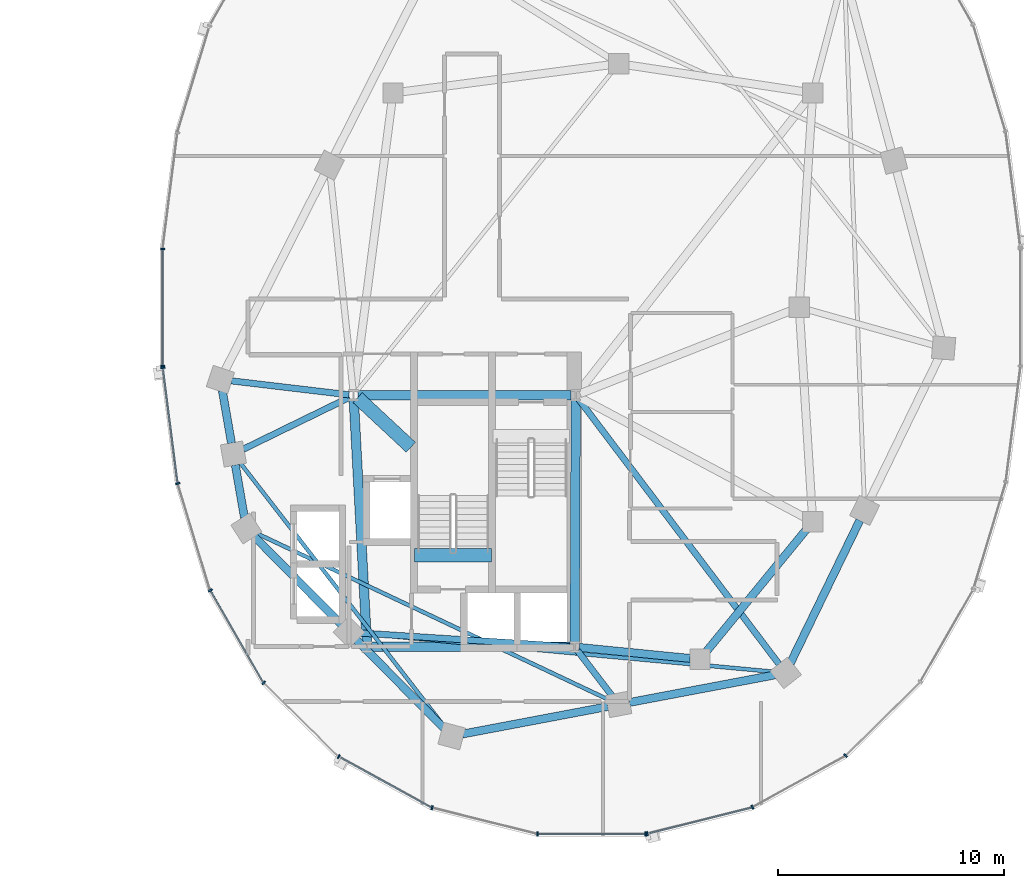
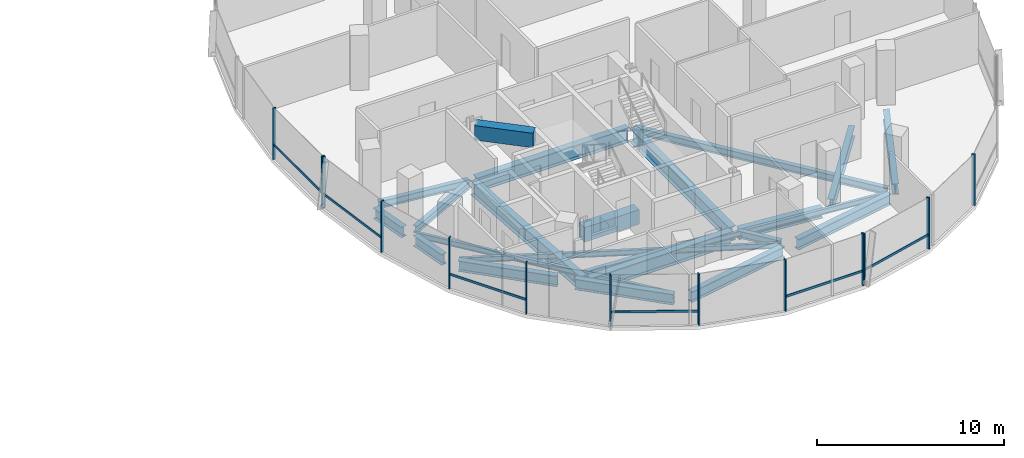
# One storey, part 6 of 23: 23 beams, 19 members, 3 elements without a shape of their own.
"""IFC4 building model written with IfcOpenShell, lengths in metres."""

from ifc_helpers import new_model, si_unit, direction, frame, origin, origin_2d, place, context, subcontext, project, spatial, rectangle, i_section, extrude, material, material_profile, profile_set, type_object, element, aggregate, save


model = new_model("IFC4")

# Units and contexts
model_context = context("Model", 3, precision=1e-05, world=origin(), true_north=direction((0.0, 1.0)))
body_context = subcontext(model_context, "Body", "Model", "MODEL_VIEW")
ifc_project = project(units=[si_unit("LENGTHUNIT", "METRE"), si_unit("AREAUNIT", "SQUARE_METRE"), si_unit("VOLUMEUNIT", "CUBIC_METRE"), si_unit("PLANEANGLEUNIT", "RADIAN"), si_unit("MASSUNIT", "GRAM", prefix="KILO"), si_unit("THERMODYNAMICTEMPERATUREUNIT", "KELVIN"), si_unit("POWERUNIT", "WATT")], contexts=[model_context])

# Site, building, storey
site_placement = place(None, origin())
site = spatial("IfcSite", under=ifc_project, at=site_placement, CompositionType="ELEMENT")
building_placement = place(site_placement, origin())
building = spatial("IfcBuilding", under=site, at=building_placement, Name="Cundina Bronze Exchange", CompositionType="ELEMENT")
storey_placement = place(building_placement, frame((0.0, 0.0, 169.199951171875)))
storey = spatial("IfcBuildingStorey", under=building, at=storey_placement, Name="L44", CompositionType="ELEMENT", Elevation=169.199951171875)

# Beams
ifc_material_1 = material(Name="Concrete C60/75", Category="concrete")
ifc_material_profile_1 = material_profile(ifc_material_1, rectangle(XDim=0.60009765625, YDim=0.949951171875, at=origin_2d()), Name="RC600X950", Category="concrete")
ifc_profile_set_1 = profile_set([ifc_material_profile_1], Name="Concrete C60/75")
beam_type_1 = type_object("IfcBeamType", Name="BM-COUP-RC950", PredefinedType="LINTEL", material=ifc_profile_set_1)
beam_1_placement = place(storey_placement, frame((24.159912109375, -10.97998046875, -0.474853515625), z_axis=(1.0, 0.0, 0.0), x_axis=(0.0, 1.0, 0.0)))
element("IfcBeam", 1, at=beam_1_placement, inside=storey, type_object=beam_type_1, Name="L44 Stair E2 Landing Header Beam", PredefinedType="LINTEL", context=body_context, shape_type="SweptSolid", body=[
    extrude(rectangle(XDim=0.60009765625, YDim=0.949951171875, at=origin_2d()), origin(), (0.0, 0.0, 1.0), 3.400146484375),
])
beam_2_placement = place(storey_placement, frame((21.6298828125, -4.0, 2.885009765625), z_axis=(0.731490439815, -0.681851696822, 0.0), x_axis=(0.681851696822, 0.731490439815, 0.0)))
element("IfcBeam", 2, at=beam_2_placement, inside=storey, type_object=beam_type_1, Name="L44 E Core Shear Coupling Lintel Beam", PredefinedType="LINTEL", context=body_context, shape_type="SweptSolid", body=[
    extrude(rectangle(XDim=0.60009765625, YDim=0.949951171875, at=origin_2d()), origin(), (0.0, 0.0, 1.0), 3.226318359375),
])
ifc_material_2 = material(Name="Steel ASTM A992 Grade 50", Category="steel")
ifc_material_profile_2 = material_profile(ifc_material_2, i_section(OverallWidth=0.280029296875, OverallDepth=0.462890625, WebThickness=0.0107421875, FlangeThickness=0.017333984375, FilletRadius=0.011962890625, at=origin_2d()), Name="W18X76", Category="steel")
ifc_profile_set_2 = profile_set([ifc_material_profile_2], Name="Steel ASTM A992 Grade 50")
beam_type_2 = type_object("IfcBeamType", Name="BM-FLR-W18A", PredefinedType="BEAM", material=ifc_profile_set_2)
beam_3_placement = place(storey_placement, frame((21.247314453125, -3.8759765625, -0.471435546875), z_axis=(-0.993036158382, 0.11780996624, 0.0), x_axis=(-0.11780996624, -0.993036158382, 0.0)))
element("IfcBeam", 3, at=beam_3_placement, inside=storey, type_object=beam_type_2, Name="L44 Leg E Chordal Floor Beam 00", PredefinedType="BEAM", context=body_context, shape_type="SweptSolid", body=[
    extrude(i_section(OverallWidth=0.280029296875, OverallDepth=0.462890625, WebThickness=0.0107421875, FlangeThickness=0.017333984375, FilletRadius=0.011962890625, at=origin_2d()), origin(), (0.0, 0.0, 1.0), 5.249267578125),
])
beam_4_placement = place(storey_placement, frame((21.2666015625, -3.989501953125, -0.471435546875), z_axis=(-0.898604300669, -0.438759969481, 0.0), x_axis=(0.438759969481, -0.898604300669, 0.0)))
element("IfcBeam", 4, at=beam_4_placement, inside=storey, type_object=beam_type_2, Name="L44 Leg E Chordal Floor Beam 01", PredefinedType="BEAM", context=body_context, shape_type="SweptSolid", body=[
    extrude(i_section(OverallWidth=0.280029296875, OverallDepth=0.462890625, WebThickness=0.0107421875, FlangeThickness=0.017333984375, FilletRadius=0.011962890625, at=origin_2d()), origin(), (0.0, 0.0, 1.0), 5.23388671875),
])
beam_5_placement = place(storey_placement, frame((31.04638671875, -15.036865234375, -0.471435546875), z_axis=(-0.99789334888, 0.064875760192, 0.0), x_axis=(-0.064875760192, -0.99789334888, 0.0)))
element("IfcBeam", 5, at=beam_5_placement, inside=storey, type_object=beam_type_2, Name="L44 Leg E Chordal Floor Beam 03", PredefinedType="BEAM", context=body_context, shape_type="SweptSolid", body=[
    extrude(i_section(OverallWidth=0.280029296875, OverallDepth=0.462890625, WebThickness=0.0107421875, FlangeThickness=0.017333984375, FilletRadius=0.011962890625, at=origin_2d()), origin(), (0.0, 0.0, 1.0), 9.328857421875),
])
beam_6_placement = place(storey_placement, frame((31.373779296875, -15.2119140625, -0.471435546875), z_axis=(0.607450107571, -0.794357832977, 0.0), x_axis=(0.794357832977, 0.607450107571, 0.0)))
element("IfcBeam", 6, at=beam_6_placement, inside=storey, type_object=beam_type_2, Name="L44 Leg E Chordal Floor Beam 05", PredefinedType="BEAM", context=body_context, shape_type="SweptSolid", body=[
    extrude(i_section(OverallWidth=0.280029296875, OverallDepth=0.462890625, WebThickness=0.0107421875, FlangeThickness=0.017333984375, FilletRadius=0.011962890625, at=origin_2d()), origin(), (0.0, 0.0, 1.0), 2.518310546875),
])
beam_7_placement = place(storey_placement, frame((31.423095703125, -4.062744140625, -0.471435546875), z_axis=(0.603103901721, -0.797662637792, 0.0), x_axis=(0.797662637792, 0.603103901721, 0.0)))
element("IfcBeam", 7, at=beam_7_placement, inside=storey, type_object=beam_type_2, Name="L44 Leg E Chordal Floor Beam 06", PredefinedType="BEAM", context=body_context, shape_type="SweptSolid", body=[
    extrude(i_section(OverallWidth=0.280029296875, OverallDepth=0.462890625, WebThickness=0.0107421875, FlangeThickness=0.017333984375, FilletRadius=0.011962890625, at=origin_2d()), origin(), (0.0, 0.0, 1.0), 14.72802734375),
])
ifc_material_profile_3 = material_profile(ifc_material_2, i_section(OverallWidth=0.172119140625, OverallDepth=0.35791015625, WebThickness=0.0078125, FlangeThickness=0.01318359375, FilletRadius=0.010009765625, at=origin_2d()), Name="W14X38", Category="steel")
ifc_profile_set_3 = profile_set([ifc_material_profile_3], Name="Steel ASTM A992 Grade 50")
beam_type_3 = type_object("IfcBeamType", Name="BM-JST-W14", PredefinedType="JOIST", material=ifc_profile_set_3)
beam_8_placement = place(storey_placement, frame((16.423583984375, -6.885986328125, -0.4189453125), z_axis=(0.61208354334, -0.790793105668, 0.0), x_axis=(0.790793105668, 0.61208354334, 0.0)))
element("IfcBeam", 8, at=beam_8_placement, inside=storey, type_object=beam_type_3, Name="L44 Leg E Lobe Floor Joist 01-04", PredefinedType="JOIST", context=body_context, shape_type="SweptSolid", body=[
    extrude(i_section(OverallWidth=0.172119140625, OverallDepth=0.35791015625, WebThickness=0.0078125, FlangeThickness=0.01318359375, FilletRadius=0.010009765625, at=origin_2d()), origin(), (0.0, 0.0, 1.0), 14.830810546875),
])
beam_9_placement = place(storey_placement, frame((17.14111328125, -10.008544921875, -0.4189453125), z_axis=(0.904074252188, -0.427375416385, 0.0), x_axis=(0.427375416385, 0.904074252188, 0.0)))
element("IfcBeam", 9, at=beam_9_placement, inside=storey, type_object=beam_type_3, Name="L44 Leg E Lobe Floor Joist 02-05", PredefinedType="JOIST", context=body_context, shape_type="SweptSolid", body=[
    extrude(i_section(OverallWidth=0.172119140625, OverallDepth=0.35791015625, WebThickness=0.0078125, FlangeThickness=0.01318359375, FilletRadius=0.010009765625, at=origin_2d()), origin(), (0.0, 0.0, 1.0), 17.274658203125),
])
beam_10_placement = place(storey_placement, frame((21.73583984375, -14.4453125, -0.4189453125), z_axis=(0.995701840093, -0.092616659595, 0.0), x_axis=(0.092616659595, 0.995701840093, 0.0)))
element("IfcBeam", 10, at=beam_10_placement, inside=storey, type_object=beam_type_3, Name="L44 Leg E Lobe Floor Joist 03-06", PredefinedType="JOIST", context=body_context, shape_type="SweptSolid", body=[
    extrude(i_section(OverallWidth=0.172119140625, OverallDepth=0.35791015625, WebThickness=0.0078125, FlangeThickness=0.01318359375, FilletRadius=0.010009765625, at=origin_2d()), origin(), (0.0, 0.0, 1.0), 18.45751953125),
])
ifc_material_profile_4 = material_profile(ifc_material_2, i_section(OverallWidth=0.35498046875, OverallDepth=0.695068359375, WebThickness=0.015380859375, FlangeThickness=0.02490234375, FilletRadius=0.01806640625, at=origin_2d()), Name="W27X146", Category="steel")
ifc_profile_set_4 = profile_set([ifc_material_profile_4], Name="Steel ASTM A992 Grade 50")
beam_type_4 = type_object("IfcBeamType", Name="BM-RING-W27", PredefinedType="USERDEFINED", material=ifc_profile_set_4)
beam_11_placement = place(storey_placement, frame((31.452880859375, -15.070068359375, -0.58740234375), z_axis=(0.995123020608, -0.098641643622, 0.0), x_axis=(0.098641643622, 0.995123020608, 0.0)))
element("IfcBeam", 11, at=beam_11_placement, inside=storey, type_object=beam_type_4, Name="L44 E Inner Structural Ring Girder 01", ObjectType="GIRDER", PredefinedType="USERDEFINED", context=body_context, shape_type="SweptSolid", body=[
    extrude(i_section(OverallWidth=0.35498046875, OverallDepth=0.695068359375, WebThickness=0.015380859375, FlangeThickness=0.02490234375, FilletRadius=0.01806640625, at=origin_2d()), origin(), (0.0, 0.0, 1.0), 4.935302734375),
])
beam_12_placement = place(storey_placement, frame((37.07763671875, -15.26123046875, -0.58740234375), z_axis=(0.633912590175, 0.77340469873, 0.0), x_axis=(-0.77340469873, 0.633912590175, 0.0)))
element("IfcBeam", 12, at=beam_12_placement, inside=storey, type_object=beam_type_4, Name="L44 E Inner Structural Ring Girder 02", ObjectType="GIRDER", PredefinedType="USERDEFINED", context=body_context, shape_type="SweptSolid", body=[
    extrude(i_section(OverallWidth=0.35498046875, OverallDepth=0.695068359375, WebThickness=0.015380859375, FlangeThickness=0.02490234375, FilletRadius=0.01806640625, at=origin_2d()), origin(), (0.0, 0.0, 1.0), 7.01123046875),
])
for number, where, z_axis, x_axis, name in (
    (13, (15.6337890625, -3.680908203125, -0.58740234375), (0.171666718895, -0.985155083032, 0.0), (0.985155083032, 0.171666718895, 0.0), "L44 E Perimeter Ring Girder 00"),
    (14, (16.208740234375, -6.980712890625, -0.58740234375), (0.171666718895, -0.985155083032, 0.0), (0.985155083032, 0.171666718895, 0.0), "L44 E Perimeter Ring Girder 01"),
):
    element("IfcBeam", number, at=place(storey_placement, frame(where, z_axis=z_axis, x_axis=x_axis)), inside=storey, type_object=beam_type_4, Name=name, ObjectType="GIRDER", PredefinedType="USERDEFINED", context=body_context, shape_type="SweptSolid", body=[
        extrude(i_section(OverallWidth=0.35498046875, OverallDepth=0.695068359375, WebThickness=0.015380859375, FlangeThickness=0.02490234375, FilletRadius=0.01806640625, at=origin_2d()), origin(), (0.0, 0.0, 1.0), 2.37353515625),
    ])
beam_13_placement = place(storey_placement, frame((17.043212890625, -10.14697265625, -0.58740234375), z_axis=(0.703230112979, -0.710962311378, 0.0), x_axis=(0.710962311378, 0.703230112979, 0.0)))
element("IfcBeam", 15, at=beam_13_placement, inside=storey, type_object=beam_type_4, Name="L44 E Perimeter Ring Girder 02", ObjectType="GIRDER", PredefinedType="USERDEFINED", context=body_context, shape_type="SweptSolid", body=[
    extrude(i_section(OverallWidth=0.35498046875, OverallDepth=0.695068359375, WebThickness=0.015380859375, FlangeThickness=0.02490234375, FilletRadius=0.01806640625, at=origin_2d()), origin(), (0.0, 0.0, 1.0), 5.493896484375),
])
beam_14_placement = place(storey_placement, frame((21.59326171875, -14.746826171875, -0.58740234375), z_axis=(0.703207895705, -0.710984286337, 0.0), x_axis=(0.710984286337, 0.703207895705, 0.0)))
element("IfcBeam", 16, at=beam_14_placement, inside=storey, type_object=beam_type_4, Name="L44 E Perimeter Ring Girder 03", ObjectType="GIRDER", PredefinedType="USERDEFINED", context=body_context, shape_type="SweptSolid", body=[
    extrude(i_section(OverallWidth=0.35498046875, OverallDepth=0.695068359375, WebThickness=0.015380859375, FlangeThickness=0.02490234375, FilletRadius=0.01806640625, at=origin_2d()), origin(), (0.0, 0.0, 1.0), 5.494140625),
])
beam_15_placement = place(storey_placement, frame((26.279541015625, -18.9091796875, -0.58740234375), z_axis=(0.982571532667, 0.185884865421, 0.0), x_axis=(-0.185884865421, 0.982571532667, 0.0)))
element("IfcBeam", 17, at=beam_15_placement, inside=storey, type_object=beam_type_4, Name="L44 E Perimeter Ring Girder 04", ObjectType="GIRDER", PredefinedType="USERDEFINED", context=body_context, shape_type="SweptSolid", body=[
    extrude(i_section(OverallWidth=0.35498046875, OverallDepth=0.695068359375, WebThickness=0.015380859375, FlangeThickness=0.02490234375, FilletRadius=0.01806640625, at=origin_2d()), origin(), (0.0, 0.0, 1.0), 6.55517578125),
])
beam_16_placement = place(storey_placement, frame((33.679443359375, -17.50927734375, -0.58740234375), z_axis=(0.982572819495, 0.185878063226, 0.0), x_axis=(-0.185878063226, 0.982572819495, 0.0)))
element("IfcBeam", 18, at=beam_16_placement, inside=storey, type_object=beam_type_4, Name="L44 E Perimeter Ring Girder 05", ObjectType="GIRDER", PredefinedType="USERDEFINED", context=body_context, shape_type="SweptSolid", body=[
    extrude(i_section(OverallWidth=0.35498046875, OverallDepth=0.695068359375, WebThickness=0.015380859375, FlangeThickness=0.02490234375, FilletRadius=0.01806640625, at=origin_2d()), origin(), (0.0, 0.0, 1.0), 6.555419921875),
])
beam_17_placement = place(storey_placement, frame((40.8134765625, -15.760986328125, -0.58740234375), z_axis=(0.437196998825, 0.89936576776, 0.0), x_axis=(-0.89936576776, 0.437196998825, 0.0)))
element("IfcBeam", 19, at=beam_17_placement, inside=storey, type_object=beam_type_4, Name="L44 E Perimeter Ring Girder 06", ObjectType="GIRDER", PredefinedType="USERDEFINED", context=body_context, shape_type="SweptSolid", body=[
    extrude(i_section(OverallWidth=0.35498046875, OverallDepth=0.695068359375, WebThickness=0.015380859375, FlangeThickness=0.02490234375, FilletRadius=0.01806640625, at=origin_2d()), origin(), (0.0, 0.0, 1.0), 7.029541015625),
])
ifc_material_profile_5 = material_profile(ifc_material_2, i_section(OverallWidth=0.41796875, OverallDepth=0.927001953125, WebThickness=0.019287109375, FlangeThickness=0.031982421875, FilletRadius=0.02392578125, at=origin_2d()), Name="W36X231", Category="steel")
ifc_profile_set_5 = profile_set([ifc_material_profile_5], Name="Steel ASTM A992 Grade 50")
beam_type_5 = type_object("IfcBeamType", Name="BM-WRN-W36B", PredefinedType="USERDEFINED", material=ifc_profile_set_5)
beam_18_placement = place(storey_placement, frame((31.095947265625, -3.89990234375, -0.703369140625), z_axis=(-1.0, 0.0, 0.0), x_axis=(0.0, -1.0, 0.0)))
element("IfcBeam", 20, at=beam_18_placement, inside=storey, type_object=beam_type_5, Name="L44 E Core Perimeter Tie Girder 1", ObjectType="GIRDER", PredefinedType="USERDEFINED", context=body_context, shape_type="SweptSolid", body=[
    extrude(i_section(OverallWidth=0.41796875, OverallDepth=0.927001953125, WebThickness=0.019287109375, FlangeThickness=0.031982421875, FilletRadius=0.02392578125, at=origin_2d()), origin(), (0.0, 0.0, 1.0), 9.44189453125),
])
beam_19_placement = place(storey_placement, frame((21.4609375, -4.103759765625, -0.703369140625), z_axis=(0.053739193498, -0.998555005537, 0.0), x_axis=(0.998555005537, 0.053739193498, 0.0)))
element("IfcBeam", 21, at=beam_19_placement, inside=storey, type_object=beam_type_5, Name="L44 E Core Perimeter Tie Girder 2", ObjectType="GIRDER", PredefinedType="USERDEFINED", context=body_context, shape_type="SweptSolid", body=[
    extrude(i_section(OverallWidth=0.41796875, OverallDepth=0.927001953125, WebThickness=0.019287109375, FlangeThickness=0.031982421875, FilletRadius=0.02392578125, at=origin_2d()), origin(), (0.0, 0.0, 1.0), 10.758056640625),
])
beam_20_placement = place(storey_placement, frame((22.25390625, -15.050048828125, -0.703369140625), z_axis=(1.0, 0.0, 0.0), x_axis=(0.0, 1.0, 0.0)))
element("IfcBeam", 22, at=beam_20_placement, inside=storey, type_object=beam_type_5, Name="L44 E Core Perimeter Tie Girder 3", ObjectType="GIRDER", PredefinedType="USERDEFINED", context=body_context, shape_type="SweptSolid", body=[
    extrude(i_section(OverallWidth=0.41796875, OverallDepth=0.927001953125, WebThickness=0.019287109375, FlangeThickness=0.031982421875, FilletRadius=0.02392578125, at=origin_2d()), origin(), (0.0, 0.0, 1.0), 8.7919921875),
])
beam_21_placement = place(storey_placement, frame((31.2509765625, -14.845947265625, -0.703369140625), z_axis=(0.004477329608, 0.99998997671, 0.0), x_axis=(-0.99998997671, 0.004477329608, 0.0)))
element("IfcBeam", 23, at=beam_21_placement, inside=storey, type_object=beam_type_5, Name="L44 E Core Perimeter Tie Girder 4", ObjectType="GIRDER", PredefinedType="USERDEFINED", context=body_context, shape_type="SweptSolid", body=[
    extrude(i_section(OverallWidth=0.41796875, OverallDepth=0.927001953125, WebThickness=0.019287109375, FlangeThickness=0.031982421875, FilletRadius=0.02392578125, at=origin_2d()), origin(), (0.0, 0.0, 1.0), 10.741943359375),
])

# Curtain wall, members
ifc_material_3 = material(Name="Anodised Bronze Aluminium 6063-T6", Category="aluminium")
curtain_wall_type = type_object("IfcCurtainWallType", Name="CWS-WST-PIN", PredefinedType="NOTDEFINED", material=ifc_material_3)
curtain_wall_1_placement = place(storey_placement, origin())
curtain_wall_1 = element("IfcCurtainWall", 24, at=curtain_wall_1_placement, inside=storey, type_object=curtain_wall_type, Name="L44 CW-04 Curtain Wall Run CWR-L44-E2", PredefinedType="NOTDEFINED")
ifc_material_profile_6 = material_profile(ifc_material_3, rectangle(XDim=0.070068359375, YDim=0.18994140625, at=origin_2d()), Name="AL70X190", Category="aluminium")
ifc_profile_set_6 = profile_set([ifc_material_profile_6], Name="Anodised Bronze Aluminium 6063-T6")
member_type_1 = type_object("IfcMemberType", Name="CWM-MUL-190", PredefinedType="MULLION", material=ifc_profile_set_6)
member_1_placement = place(storey_placement, frame((12.992919921875, 2.593017578125, 0.0), z_axis=(0.0, 0.0, 1.0), x_axis=(0.0, -1.0, 0.0)))
member_1 = element("IfcMember", 25, at=member_1_placement, type_object=member_type_1, Name="CW-04 Mullion 7", PredefinedType="MULLION", context=body_context, shape_type="SweptSolid", body=[
    extrude(rectangle(XDim=0.070068359375, YDim=0.18994140625, at=origin_2d()), origin(), (0.0, 0.0, 1.0), 3.360107421875),
])
member_2_placement = place(storey_placement, frame((12.992919921875, -2.593017578125, 0.0), z_axis=(0.0, 0.0, 1.0), x_axis=(0.0, -1.0, 0.0)))
member_2 = element("IfcMember", 26, at=member_2_placement, type_object=member_type_1, Name="CW-04 End Mullion", PredefinedType="MULLION", context=body_context, shape_type="SweptSolid", body=[
    extrude(rectangle(XDim=0.070068359375, YDim=0.18994140625, at=origin_2d()), origin(), (0.0, 0.0, 1.0), 3.360107421875),
])

curtain_wall_2_placement = place(storey_placement, origin())
curtain_wall_2 = element("IfcCurtainWall", 27, at=curtain_wall_2_placement, inside=storey, type_object=curtain_wall_type, Name="L44 CW-04 Curtain Wall Run CWR-L44-E3", PredefinedType="NOTDEFINED")
member_3_placement = place(storey_placement, frame((12.998291015625, -2.676025390625, 0.0), z_axis=(0.0, 0.0, 1.0), x_axis=(0.126545236492, -0.991960837494, 0.0)))
member_3 = element("IfcMember", 28, at=member_3_placement, type_object=member_type_1, Name="CW-04 Mullion 1", PredefinedType="MULLION", context=body_context, shape_type="SweptSolid", body=[
    extrude(rectangle(XDim=0.070068359375, YDim=0.18994140625, at=origin_2d()), origin(), (0.0, 0.0, 1.0), 3.360107421875),
])
member_4_placement = place(storey_placement, frame((13.6591796875, -7.80859375, 0.0), z_axis=(0.0, 0.0, 1.0), x_axis=(0.290034140915, -0.957016299288, 0.0)))
member_4 = element("IfcMember", 29, at=member_4_placement, type_object=member_type_1, Name="CW-04 Mullion 2", PredefinedType="MULLION", context=body_context, shape_type="SweptSolid", body=[
    extrude(rectangle(XDim=0.070068359375, YDim=0.18994140625, at=origin_2d()), origin(), (0.0, 0.0, 1.0), 3.360107421875),
])
member_5_placement = place(storey_placement, frame((15.10205078125, -12.541259765625, 0.0), z_axis=(0.0, 0.0, 1.0), x_axis=(0.498487739754, -0.866896748936, 0.0)))
member_5 = element("IfcMember", 30, at=member_5_placement, type_object=member_type_1, Name="CW-04 Mullion 3", PredefinedType="MULLION", context=body_context, shape_type="SweptSolid", body=[
    extrude(rectangle(XDim=0.070068359375, YDim=0.18994140625, at=origin_2d()), origin(), (0.0, 0.0, 1.0), 3.360107421875),
])
member_6_placement = place(storey_placement, frame((17.469482421875, -16.640380859375, 0.0), z_axis=(0.0, 0.0, 1.0), x_axis=(0.712026045991, -0.702153052995, 0.0)))
member_6 = element("IfcMember", 31, at=member_6_placement, type_object=member_type_1, Name="CW-04 Mullion 4", PredefinedType="MULLION", context=body_context, shape_type="SweptSolid", body=[
    extrude(rectangle(XDim=0.070068359375, YDim=0.18994140625, at=origin_2d()), origin(), (0.0, 0.0, 1.0), 3.360107421875),
])
member_7_placement = place(storey_placement, frame((20.79345703125, -19.906005859375, 0.0), z_axis=(0.0, 0.0, 1.0), x_axis=(0.875885937035, -0.482518212408, 0.0)))
member_7 = element("IfcMember", 32, at=member_7_placement, type_object=member_type_1, Name="CW-04 Mullion 5", PredefinedType="MULLION", context=body_context, shape_type="SweptSolid", body=[
    extrude(rectangle(XDim=0.070068359375, YDim=0.18994140625, at=origin_2d()), origin(), (0.0, 0.0, 1.0), 3.360107421875),
])
member_8_placement = place(storey_placement, frame((24.932373046875, -22.17626953125, 0.0), z_axis=(0.0, 0.0, 1.0), x_axis=(0.970084240161, -0.242768546132, 0.0)))
member_8 = element("IfcMember", 33, at=member_8_placement, type_object=member_type_1, Name="CW-04 Mullion 6", PredefinedType="MULLION", context=body_context, shape_type="SweptSolid", body=[
    extrude(rectangle(XDim=0.070068359375, YDim=0.18994140625, at=origin_2d()), origin(), (0.0, 0.0, 1.0), 3.360107421875),
])
member_9_placement = place(storey_placement, frame((29.60595703125, -23.3369140625, 0.0), z_axis=(0.0, 0.0, 1.0), x_axis=(1.0, 0.0, 0.0)))
member_9 = element("IfcMember", 34, at=member_9_placement, type_object=member_type_1, Name="CW-04 Mullion 7", PredefinedType="MULLION", context=body_context, shape_type="SweptSolid", body=[
    extrude(rectangle(XDim=0.070068359375, YDim=0.18994140625, at=origin_2d()), origin(), (0.0, 0.0, 1.0), 3.360107421875),
])
member_10_placement = place(storey_placement, frame((34.39404296875, -23.3369140625, 0.0), z_axis=(0.0, 0.0, 1.0), x_axis=(1.0, 0.0, 0.0)))
member_10 = element("IfcMember", 35, at=member_10_placement, type_object=member_type_1, Name="CW-04 End Mullion", PredefinedType="MULLION", context=body_context, shape_type="SweptSolid", body=[
    extrude(rectangle(XDim=0.070068359375, YDim=0.18994140625, at=origin_2d()), origin(), (0.0, 0.0, 1.0), 3.360107421875),
])

curtain_wall_3_placement = place(storey_placement, origin())
curtain_wall_3 = element("IfcCurtainWall", 36, at=curtain_wall_3_placement, inside=storey, type_object=curtain_wall_type, Name="L44 CW-04 Curtain Wall Run CWR-L44-E4", PredefinedType="NOTDEFINED")
member_11_placement = place(storey_placement, frame((34.462646484375, -23.32861328125, 0.0), z_axis=(0.0, 0.0, 1.0), x_axis=(0.970084240161, 0.242768546132, 0.0)))
member_11 = element("IfcMember", 37, at=member_11_placement, type_object=member_type_1, Name="CW-04 Mullion 1", PredefinedType="MULLION", context=body_context, shape_type="SweptSolid", body=[
    extrude(rectangle(XDim=0.070068359375, YDim=0.18994140625, at=origin_2d()), origin(), (0.0, 0.0, 1.0), 3.360107421875),
])
member_12_placement = place(storey_placement, frame((39.13037109375, -22.151611328125, 0.0), z_axis=(0.0, 0.0, 1.0), x_axis=(0.875885937035, 0.482518212408, 0.0)))
member_12 = element("IfcMember", 38, at=member_12_placement, type_object=member_type_1, Name="CW-04 Mullion 2", PredefinedType="MULLION", context=body_context, shape_type="SweptSolid", body=[
    extrude(rectangle(XDim=0.070068359375, YDim=0.18994140625, at=origin_2d()), origin(), (0.0, 0.0, 1.0), 3.360107421875),
])
member_13_placement = place(storey_placement, frame((43.259033203125, -19.86669921875, 0.0), z_axis=(0.0, 0.0, 1.0), x_axis=(0.712026045991, 0.702153052995, 0.0)))
member_13 = element("IfcMember", 39, at=member_13_placement, type_object=member_type_1, Name="CW-04 Mullion 3", PredefinedType="MULLION", context=body_context, shape_type="SweptSolid", body=[
    extrude(rectangle(XDim=0.070068359375, YDim=0.18994140625, at=origin_2d()), origin(), (0.0, 0.0, 1.0), 3.360107421875),
])

# Member
ifc_material_profile_7 = material_profile(ifc_material_3, rectangle(XDim=0.06494140625, YDim=0.14990234375, at=origin_2d()), Name="AL65X150", Category="aluminium")
ifc_profile_set_7 = profile_set([ifc_material_profile_7], Name="Anodised Bronze Aluminium 6063-T6")
member_type_2 = type_object("IfcMemberType", Name="CWM-TRN-150", PredefinedType="USERDEFINED", material=ifc_profile_set_7)
member_14_placement = place(storey_placement, frame((12.992919921875, 2.554443359375, 0.920166015625), z_axis=(0.0, -1.0, 0.0), x_axis=(1.0, 0.0, 0.0)))
member_14 = element("IfcMember", 40, at=member_14_placement, type_object=member_type_2, Name="CW-04 Spandrel Transom 7", ObjectType="TRANSOM", PredefinedType="USERDEFINED", context=body_context, shape_type="SweptSolid", body=[
    extrude(rectangle(XDim=0.06494140625, YDim=0.14990234375, at=origin_2d()), origin(), (0.0, 0.0, 1.0), 5.10888671875),
])

aggregate(curtain_wall_1, [member_1, member_2, member_14])

member_15_placement = place(storey_placement, frame((13.003173828125, -2.71435546875, 0.920166015625), z_axis=(0.12646340362, -0.991971273548, 0.0), x_axis=(0.991971273548, 0.12646340362, 0.0)))
member_15 = element("IfcMember", 41, at=member_15_placement, type_object=member_type_2, Name="CW-04 Spandrel Transom 1", ObjectType="TRANSOM", PredefinedType="USERDEFINED", context=body_context, shape_type="SweptSolid", body=[
    extrude(rectangle(XDim=0.06494140625, YDim=0.14990234375, at=origin_2d()), origin(), (0.0, 0.0, 1.0), 5.0966796875),
])

member_16_placement = place(storey_placement, frame((15.121337890625, -12.574462890625, 0.920166015625), z_axis=(0.498479967047, -0.866901218394, 0.0), x_axis=(0.866901218394, 0.498479967047, 0.0)))
member_16 = element("IfcMember", 42, at=member_16_placement, type_object=member_type_2, Name="CW-04 Spandrel Transom 3", ObjectType="TRANSOM", PredefinedType="USERDEFINED", context=body_context, shape_type="SweptSolid", body=[
    extrude(rectangle(XDim=0.06494140625, YDim=0.14990234375, at=origin_2d()), origin(), (0.0, 0.0, 1.0), 4.66845703125),
])

member_17_placement = place(storey_placement, frame((20.8271484375, -19.924560546875, 0.920166015625), z_axis=(0.875878981549, -0.482530838062, 0.0), x_axis=(0.482530838062, 0.875878981549, 0.0)))
member_17 = element("IfcMember", 43, at=member_17_placement, type_object=member_type_2, Name="CW-04 Spandrel Transom 5", ObjectType="TRANSOM", PredefinedType="USERDEFINED", context=body_context, shape_type="SweptSolid", body=[
    extrude(rectangle(XDim=0.06494140625, YDim=0.14990234375, at=origin_2d()), origin(), (0.0, 0.0, 1.0), 4.65380859375),
])

member_18_placement = place(storey_placement, frame((29.64453125, -23.3369140625, 0.920166015625), z_axis=(1.0, 0.0, 0.0), x_axis=(0.0, 1.0, 0.0)))
member_18 = element("IfcMember", 44, at=member_18_placement, type_object=member_type_2, Name="CW-04 Spandrel Transom 7", ObjectType="TRANSOM", PredefinedType="USERDEFINED", context=body_context, shape_type="SweptSolid", body=[
    extrude(rectangle(XDim=0.06494140625, YDim=0.14990234375, at=origin_2d()), origin(), (0.0, 0.0, 1.0), 4.7109375),
])

aggregate(curtain_wall_2, [member_3, member_15, member_4, member_5, member_16, member_6, member_7, member_17, member_8, member_9, member_10, member_18])

member_19_placement = place(storey_placement, frame((34.5, -23.319091796875, 0.920166015625), z_axis=(0.970100130035, 0.242705042606, 0.0), x_axis=(-0.242705042606, 0.970100130035, 0.0)))
member_19 = element("IfcMember", 45, at=member_19_placement, type_object=member_type_2, Name="CW-04 Spandrel Transom 1", ObjectType="TRANSOM", PredefinedType="USERDEFINED", context=body_context, shape_type="SweptSolid", body=[
    extrude(rectangle(XDim=0.06494140625, YDim=0.14990234375, at=origin_2d()), origin(), (0.0, 0.0, 1.0), 4.746826171875),
])

aggregate(curtain_wall_3, [member_11, member_19, member_12, member_13])

save(model, "model.ifc")
